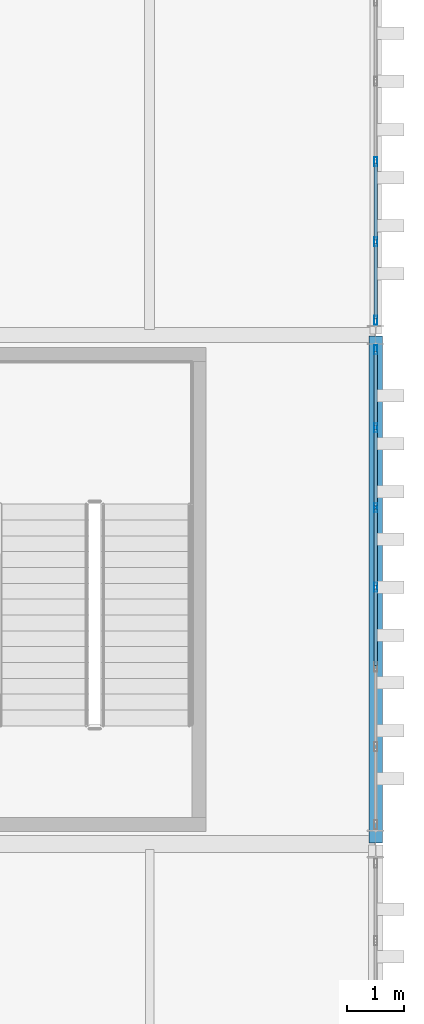
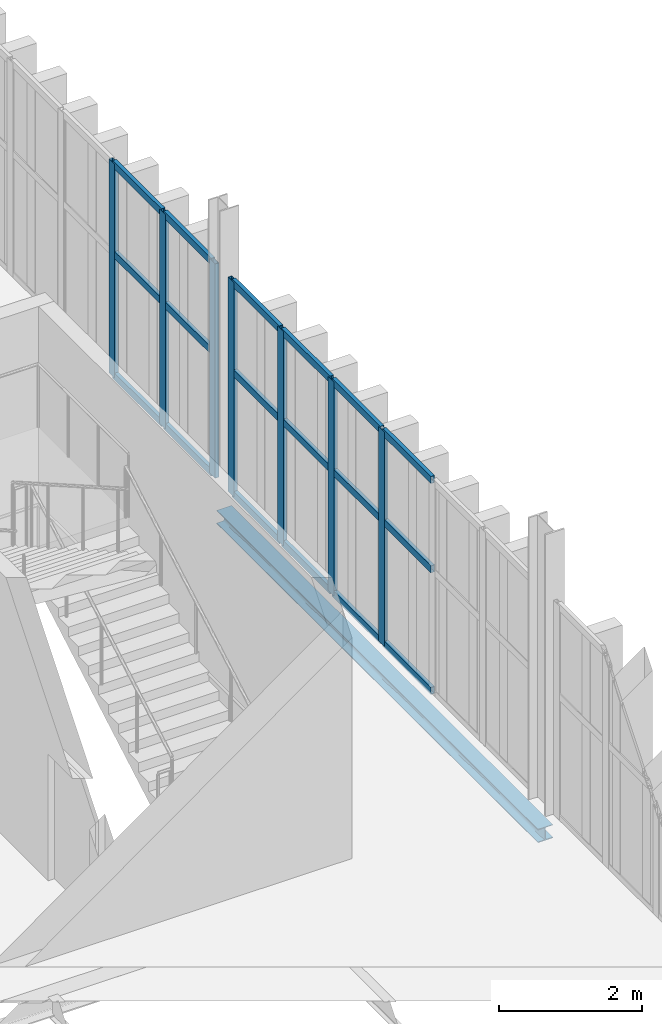
# One storey, part 128 of 196: 25 members, 1 beam, 2 elements without a shape of their own.
"""IFC4 building model written with IfcOpenShell, lengths in metres."""

from ifc_helpers import new_model, si_unit, direction, frame, origin, origin_2d, place, context, subcontext, project, spatial, hollow_rectangle, i_section, extrude, material, layer, layer_set, material_profile, profile_set, type_object, element, aggregate, save


model = new_model("IFC4")

# Units and contexts
model_context = context("Model", 3, precision=1e-05, world=origin(), true_north=direction((0.0, 1.0)))
body_context = subcontext(model_context, "Body", "Model", "MODEL_VIEW")
ifc_project = project(units=[si_unit("LENGTHUNIT", "METRE"), si_unit("AREAUNIT", "SQUARE_METRE"), si_unit("VOLUMEUNIT", "CUBIC_METRE"), si_unit("PLANEANGLEUNIT", "RADIAN"), si_unit("MASSUNIT", "GRAM", prefix="KILO")], contexts=[model_context])

# Site, building, storey
site_placement = place(None, origin())
site = spatial("IfcSite", under=ifc_project, at=site_placement, CompositionType="ELEMENT")
building_placement = place(site_placement, origin())
building = spatial("IfcBuilding", under=site, at=building_placement, Name="Barlavento Convention Centre", CompositionType="ELEMENT")
storey_placement = place(building_placement, frame((0.0, 0.0, 18.0)))
storey = spatial("IfcBuildingStorey", under=building, at=storey_placement, Name="L03", CompositionType="ELEMENT", Elevation=18.0)

# Curtain wall, members
ifc_material_1 = material(Name="Powder-coated aluminium and Low-E glass", Category="aluminium")
ifc_layer = layer(ifc_material_1, 0.179931640625)
ifc_layer_set = layer_set([ifc_layer], Name="ARC-CW-CONF-L03")
curtain_wall_type = type_object("IfcCurtainWallType", Name="ARC-CW-CONF-L03", PredefinedType="NOTDEFINED", material=ifc_layer_set)
curtain_wall_1_placement = place(storey_placement, origin())
curtain_wall_1 = element("IfcCurtainWall", 1, at=curtain_wall_1_placement, inside=storey, type_object=curtain_wall_type, Name="L03 unitised curtain wall CW08", PredefinedType="NOTDEFINED")
ifc_material_2 = material(Name="Powder-coated aluminium", Category="aluminium")
ifc_material_profile_1 = material_profile(ifc_material_2, hollow_rectangle(XDim=0.06005859375, YDim=0.159912109375, WallThickness=0.00390625, at=origin_2d()), Name="AL-MULL 60x160x4")
ifc_profile_set_1 = profile_set([ifc_material_profile_1], Name="Powder-coated aluminium")
member_type_1 = type_object("IfcMemberType", Name="ARC-CWM-60X160", PredefinedType="MULLION", material=ifc_profile_set_1)
member_1_placement = place(storey_placement, frame((192.0, 40.5400390625, 0.0), z_axis=(0.0, 0.0, 1.0), x_axis=(-1.0, 0.0, 0.0)))
member_1 = element("IfcMember", 2, at=member_1_placement, type_object=member_type_1, Name="CW08 mullion 4", PredefinedType="MULLION", context=body_context, shape_type="SweptSolid", body=[
    extrude(hollow_rectangle(XDim=0.06005859375, YDim=0.159912109375, WallThickness=0.00390625, at=origin_2d()), origin(), (0.0, 0.0, 1.0), 3.64990234375),
])
member_2_placement = place(storey_placement, frame((192.0, 41.949951171875, 0.0), z_axis=(0.0, 0.0, 1.0), x_axis=(-1.0, 0.0, 0.0)))
member_2 = element("IfcMember", 3, at=member_2_placement, type_object=member_type_1, Name="CW08 mullion 5", PredefinedType="MULLION", context=body_context, shape_type="SweptSolid", body=[
    extrude(hollow_rectangle(XDim=0.06005859375, YDim=0.159912109375, WallThickness=0.00390625, at=origin_2d()), origin(), (0.0, 0.0, 1.0), 3.64990234375),
])
member_3_placement = place(storey_placement, frame((192.0, 43.360107421875, 0.0), z_axis=(0.0, 0.0, 1.0), x_axis=(-1.0, 0.0, 0.0)))
member_3 = element("IfcMember", 4, at=member_3_placement, type_object=member_type_1, Name="CW08 mullion 6", PredefinedType="MULLION", context=body_context, shape_type="SweptSolid", body=[
    extrude(hollow_rectangle(XDim=0.06005859375, YDim=0.159912109375, WallThickness=0.00390625, at=origin_2d()), origin(), (0.0, 0.0, 1.0), 3.64990234375),
])
member_4_placement = place(storey_placement, frame((192.0, 44.739990234375, 0.0), z_axis=(0.0, 0.0, 1.0), x_axis=(-1.0, 0.0, 0.0)))
member_4 = element("IfcMember", 5, at=member_4_placement, type_object=member_type_1, Name="CW08 mullion 7", PredefinedType="MULLION", context=body_context, shape_type="SweptSolid", body=[
    extrude(hollow_rectangle(XDim=0.06005859375, YDim=0.159912109375, WallThickness=0.00390625, at=origin_2d()), origin(), (0.0, 0.0, 1.0), 3.64990234375),
])

curtain_wall_2_placement = place(storey_placement, origin())
curtain_wall_2 = element("IfcCurtainWall", 6, at=curtain_wall_2_placement, inside=storey, type_object=curtain_wall_type, Name="L03 unitised curtain wall CW08", PredefinedType="NOTDEFINED")
member_5_placement = place(storey_placement, frame((192.0, 45.260009765625, 0.0), z_axis=(0.0, 0.0, 1.0), x_axis=(-1.0, 0.0, 0.0)))
member_5 = element("IfcMember", 7, at=member_5_placement, type_object=member_type_1, Name="CW08 mullion 1", PredefinedType="MULLION", context=body_context, shape_type="SweptSolid", body=[
    extrude(hollow_rectangle(XDim=0.06005859375, YDim=0.159912109375, WallThickness=0.00390625, at=origin_2d()), origin(), (0.0, 0.0, 1.0), 3.64990234375),
])
member_6_placement = place(storey_placement, frame((192.0, 46.6484375, 0.0), z_axis=(0.0, 0.0, 1.0), x_axis=(-1.0, 0.0, 0.0)))
member_6 = element("IfcMember", 8, at=member_6_placement, type_object=member_type_1, Name="CW08 mullion 2", PredefinedType="MULLION", context=body_context, shape_type="SweptSolid", body=[
    extrude(hollow_rectangle(XDim=0.06005859375, YDim=0.159912109375, WallThickness=0.00390625, at=origin_2d()), origin(), (0.0, 0.0, 1.0), 3.64990234375),
])
member_7_placement = place(storey_placement, frame((192.0, 48.066650390625, 0.0), z_axis=(0.0, 0.0, 1.0), x_axis=(-1.0, 0.0, 0.0)))
member_7 = element("IfcMember", 9, at=member_7_placement, type_object=member_type_1, Name="CW08 mullion 3", PredefinedType="MULLION", context=body_context, shape_type="SweptSolid", body=[
    extrude(hollow_rectangle(XDim=0.06005859375, YDim=0.159912109375, WallThickness=0.00390625, at=origin_2d()), origin(), (0.0, 0.0, 1.0), 3.64990234375),
])

# Member
ifc_material_profile_2 = material_profile(ifc_material_2, hollow_rectangle(XDim=0.06005859375, YDim=0.1201171875, WallThickness=0.00390625, at=origin_2d()), Name="AL-TRAN 60x120x4")
ifc_profile_set_2 = profile_set([ifc_material_profile_2], Name="Powder-coated aluminium")
member_type_2 = type_object("IfcMemberType", Name="ARC-CWT-60X120", PredefinedType="USERDEFINED", material=ifc_profile_set_2)
member_8_placement = place(storey_placement, frame((192.0, 39.159912109375, 0.030029296875), z_axis=(0.0, 1.0, 0.0), x_axis=(-1.0, 0.0, 0.0)))
member_8 = element("IfcMember", 10, at=member_8_placement, type_object=member_type_2, Name="CW08 transom 3.1", ObjectType="TRANSOM", PredefinedType="USERDEFINED", context=body_context, shape_type="SweptSolid", body=[
    extrude(hollow_rectangle(XDim=0.06005859375, YDim=0.1201171875, WallThickness=0.00390625, at=origin_2d()), origin(), (0.0, 0.0, 1.0), 1.35009765625),
])

member_9_placement = place(storey_placement, frame((192.0, 39.159912109375, 2.10009765625), z_axis=(0.0, 1.0, 0.0), x_axis=(-1.0, 0.0, 0.0)))
member_9 = element("IfcMember", 11, at=member_9_placement, type_object=member_type_2, Name="CW08 transom 3.2", ObjectType="TRANSOM", PredefinedType="USERDEFINED", context=body_context, shape_type="SweptSolid", body=[
    extrude(hollow_rectangle(XDim=0.06005859375, YDim=0.1201171875, WallThickness=0.00390625, at=origin_2d()), origin(), (0.0, 0.0, 1.0), 1.35009765625),
])

member_10_placement = place(storey_placement, frame((192.0, 39.159912109375, 3.6201171875), z_axis=(0.0, 1.0, 0.0), x_axis=(-1.0, 0.0, 0.0)))
member_10 = element("IfcMember", 12, at=member_10_placement, type_object=member_type_2, Name="CW08 transom 3.3", ObjectType="TRANSOM", PredefinedType="USERDEFINED", context=body_context, shape_type="SweptSolid", body=[
    extrude(hollow_rectangle(XDim=0.06005859375, YDim=0.1201171875, WallThickness=0.00390625, at=origin_2d()), origin(), (0.0, 0.0, 1.0), 1.35009765625),
])

member_11_placement = place(storey_placement, frame((192.0, 40.570068359375, 0.030029296875), z_axis=(0.0, 1.0, 0.0), x_axis=(-1.0, 0.0, 0.0)))
member_11 = element("IfcMember", 13, at=member_11_placement, type_object=member_type_2, Name="CW08 transom 4.1", ObjectType="TRANSOM", PredefinedType="USERDEFINED", context=body_context, shape_type="SweptSolid", body=[
    extrude(hollow_rectangle(XDim=0.06005859375, YDim=0.1201171875, WallThickness=0.00390625, at=origin_2d()), origin(), (0.0, 0.0, 1.0), 1.349853515625),
])

member_12_placement = place(storey_placement, frame((192.0, 40.570068359375, 2.10009765625), z_axis=(0.0, 1.0, 0.0), x_axis=(-1.0, 0.0, 0.0)))
member_12 = element("IfcMember", 14, at=member_12_placement, type_object=member_type_2, Name="CW08 transom 4.2", ObjectType="TRANSOM", PredefinedType="USERDEFINED", context=body_context, shape_type="SweptSolid", body=[
    extrude(hollow_rectangle(XDim=0.06005859375, YDim=0.1201171875, WallThickness=0.00390625, at=origin_2d()), origin(), (0.0, 0.0, 1.0), 1.349853515625),
])

member_13_placement = place(storey_placement, frame((192.0, 40.570068359375, 3.6201171875), z_axis=(0.0, 1.0, 0.0), x_axis=(-1.0, 0.0, 0.0)))
member_13 = element("IfcMember", 15, at=member_13_placement, type_object=member_type_2, Name="CW08 transom 4.3", ObjectType="TRANSOM", PredefinedType="USERDEFINED", context=body_context, shape_type="SweptSolid", body=[
    extrude(hollow_rectangle(XDim=0.06005859375, YDim=0.1201171875, WallThickness=0.00390625, at=origin_2d()), origin(), (0.0, 0.0, 1.0), 1.349853515625),
])

member_14_placement = place(storey_placement, frame((192.0, 41.97998046875, 0.030029296875), z_axis=(0.0, 1.0, 0.0), x_axis=(-1.0, 0.0, 0.0)))
member_14 = element("IfcMember", 16, at=member_14_placement, type_object=member_type_2, Name="CW08 transom 5.1", ObjectType="TRANSOM", PredefinedType="USERDEFINED", context=body_context, shape_type="SweptSolid", body=[
    extrude(hollow_rectangle(XDim=0.06005859375, YDim=0.1201171875, WallThickness=0.00390625, at=origin_2d()), origin(), (0.0, 0.0, 1.0), 1.35009765625),
])

member_15_placement = place(storey_placement, frame((192.0, 41.97998046875, 2.10009765625), z_axis=(0.0, 1.0, 0.0), x_axis=(-1.0, 0.0, 0.0)))
member_15 = element("IfcMember", 17, at=member_15_placement, type_object=member_type_2, Name="CW08 transom 5.2", ObjectType="TRANSOM", PredefinedType="USERDEFINED", context=body_context, shape_type="SweptSolid", body=[
    extrude(hollow_rectangle(XDim=0.06005859375, YDim=0.1201171875, WallThickness=0.00390625, at=origin_2d()), origin(), (0.0, 0.0, 1.0), 1.35009765625),
])

member_16_placement = place(storey_placement, frame((192.0, 41.97998046875, 3.6201171875), z_axis=(0.0, 1.0, 0.0), x_axis=(-1.0, 0.0, 0.0)))
member_16 = element("IfcMember", 18, at=member_16_placement, type_object=member_type_2, Name="CW08 transom 5.3", ObjectType="TRANSOM", PredefinedType="USERDEFINED", context=body_context, shape_type="SweptSolid", body=[
    extrude(hollow_rectangle(XDim=0.06005859375, YDim=0.1201171875, WallThickness=0.00390625, at=origin_2d()), origin(), (0.0, 0.0, 1.0), 1.35009765625),
])

member_17_placement = place(storey_placement, frame((192.0, 43.389892578125, 0.030029296875), z_axis=(0.0, 1.0, 0.0), x_axis=(-1.0, 0.0, 0.0)))
member_17 = element("IfcMember", 19, at=member_17_placement, type_object=member_type_2, Name="CW08 transom 6.1", ObjectType="TRANSOM", PredefinedType="USERDEFINED", context=body_context, shape_type="SweptSolid", body=[
    extrude(hollow_rectangle(XDim=0.06005859375, YDim=0.1201171875, WallThickness=0.00390625, at=origin_2d()), origin(), (0.0, 0.0, 1.0), 1.320068359375),
])

member_18_placement = place(storey_placement, frame((192.0, 43.389892578125, 2.10009765625), z_axis=(0.0, 1.0, 0.0), x_axis=(-1.0, 0.0, 0.0)))
member_18 = element("IfcMember", 20, at=member_18_placement, type_object=member_type_2, Name="CW08 transom 6.2", ObjectType="TRANSOM", PredefinedType="USERDEFINED", context=body_context, shape_type="SweptSolid", body=[
    extrude(hollow_rectangle(XDim=0.06005859375, YDim=0.1201171875, WallThickness=0.00390625, at=origin_2d()), origin(), (0.0, 0.0, 1.0), 1.320068359375),
])

member_19_placement = place(storey_placement, frame((192.0, 43.389892578125, 3.6201171875), z_axis=(0.0, 1.0, 0.0), x_axis=(-1.0, 0.0, 0.0)))
member_19 = element("IfcMember", 21, at=member_19_placement, type_object=member_type_2, Name="CW08 transom 6.3", ObjectType="TRANSOM", PredefinedType="USERDEFINED", context=body_context, shape_type="SweptSolid", body=[
    extrude(hollow_rectangle(XDim=0.06005859375, YDim=0.1201171875, WallThickness=0.00390625, at=origin_2d()), origin(), (0.0, 0.0, 1.0), 1.320068359375),
])

aggregate(curtain_wall_1, [member_1, member_2, member_3, member_4, member_8, member_9, member_10, member_11, member_12, member_13, member_14, member_15, member_16, member_17, member_18, member_19])

member_20_placement = place(storey_placement, frame((192.0, 45.2900390625, 0.030029296875), z_axis=(0.0, 1.0, 0.0), x_axis=(-1.0, 0.0, 0.0)))
member_20 = element("IfcMember", 22, at=member_20_placement, type_object=member_type_2, Name="CW08 transom 1.1", ObjectType="TRANSOM", PredefinedType="USERDEFINED", context=body_context, shape_type="SweptSolid", body=[
    extrude(hollow_rectangle(XDim=0.06005859375, YDim=0.1201171875, WallThickness=0.00390625, at=origin_2d()), origin(), (0.0, 0.0, 1.0), 1.328369140625),
])

member_21_placement = place(storey_placement, frame((192.0, 45.2900390625, 2.10009765625), z_axis=(0.0, 1.0, 0.0), x_axis=(-1.0, 0.0, 0.0)))
member_21 = element("IfcMember", 23, at=member_21_placement, type_object=member_type_2, Name="CW08 transom 1.2", ObjectType="TRANSOM", PredefinedType="USERDEFINED", context=body_context, shape_type="SweptSolid", body=[
    extrude(hollow_rectangle(XDim=0.06005859375, YDim=0.1201171875, WallThickness=0.00390625, at=origin_2d()), origin(), (0.0, 0.0, 1.0), 1.328369140625),
])

member_22_placement = place(storey_placement, frame((192.0, 45.2900390625, 3.6201171875), z_axis=(0.0, 1.0, 0.0), x_axis=(-1.0, 0.0, 0.0)))
member_22 = element("IfcMember", 24, at=member_22_placement, type_object=member_type_2, Name="CW08 transom 1.3", ObjectType="TRANSOM", PredefinedType="USERDEFINED", context=body_context, shape_type="SweptSolid", body=[
    extrude(hollow_rectangle(XDim=0.06005859375, YDim=0.1201171875, WallThickness=0.00390625, at=origin_2d()), origin(), (0.0, 0.0, 1.0), 1.328369140625),
])

member_23_placement = place(storey_placement, frame((192.0, 46.67822265625, 0.030029296875), z_axis=(0.0, 1.0, 0.0), x_axis=(-1.0, 0.0, 0.0)))
member_23 = element("IfcMember", 25, at=member_23_placement, type_object=member_type_2, Name="CW08 transom 2.1", ObjectType="TRANSOM", PredefinedType="USERDEFINED", context=body_context, shape_type="SweptSolid", body=[
    extrude(hollow_rectangle(XDim=0.06005859375, YDim=0.1201171875, WallThickness=0.00390625, at=origin_2d()), origin(), (0.0, 0.0, 1.0), 1.3583984375),
])

member_24_placement = place(storey_placement, frame((192.0, 46.67822265625, 2.10009765625), z_axis=(0.0, 1.0, 0.0), x_axis=(-1.0, 0.0, 0.0)))
member_24 = element("IfcMember", 26, at=member_24_placement, type_object=member_type_2, Name="CW08 transom 2.2", ObjectType="TRANSOM", PredefinedType="USERDEFINED", context=body_context, shape_type="SweptSolid", body=[
    extrude(hollow_rectangle(XDim=0.06005859375, YDim=0.1201171875, WallThickness=0.00390625, at=origin_2d()), origin(), (0.0, 0.0, 1.0), 1.3583984375),
])

member_25_placement = place(storey_placement, frame((192.0, 46.67822265625, 3.6201171875), z_axis=(0.0, 1.0, 0.0), x_axis=(-1.0, 0.0, 0.0)))
member_25 = element("IfcMember", 27, at=member_25_placement, type_object=member_type_2, Name="CW08 transom 2.3", ObjectType="TRANSOM", PredefinedType="USERDEFINED", context=body_context, shape_type="SweptSolid", body=[
    extrude(hollow_rectangle(XDim=0.06005859375, YDim=0.1201171875, WallThickness=0.00390625, at=origin_2d()), origin(), (0.0, 0.0, 1.0), 1.3583984375),
])

aggregate(curtain_wall_2, [member_5, member_6, member_7, member_20, member_21, member_22, member_23, member_24, member_25])

# Beam
ifc_material_3 = material(Name="Steel S355", Category="steel")
ifc_material_profile_3 = material_profile(ifc_material_3, i_section(OverallWidth=0.239990234375, OverallDepth=0.22998046875, WebThickness=0.007568359375, FlangeThickness=0.011962890625, FilletRadius=0.02099609375, at=origin_2d()), Name="HEA 240")
ifc_profile_set_3 = profile_set([ifc_material_profile_3], Name="Steel S355")
beam_type = type_object("IfcBeamType", Name="STR-BM-SPN-HEA240", PredefinedType="SPANDREL", material=ifc_profile_set_3)
beam_placement = place(storey_placement, frame((192.0, 36.02001953125, -0.5048828125), z_axis=(0.0, 1.0, 0.0), x_axis=(-1.0, 0.0, 0.0)))
element("IfcBeam", 28, at=beam_placement, inside=storey, type_object=beam_type, Name="L03 grid girder SP05", PredefinedType="SPANDREL", context=body_context, shape_type="SweptSolid", body=[
    extrude(i_section(OverallWidth=0.239990234375, OverallDepth=0.22998046875, WebThickness=0.007568359375, FlangeThickness=0.011962890625, FilletRadius=0.02099609375, at=origin_2d()), origin(), (0.0, 0.0, 1.0), 8.9599609375),
])

save(model, "model.ifc")
